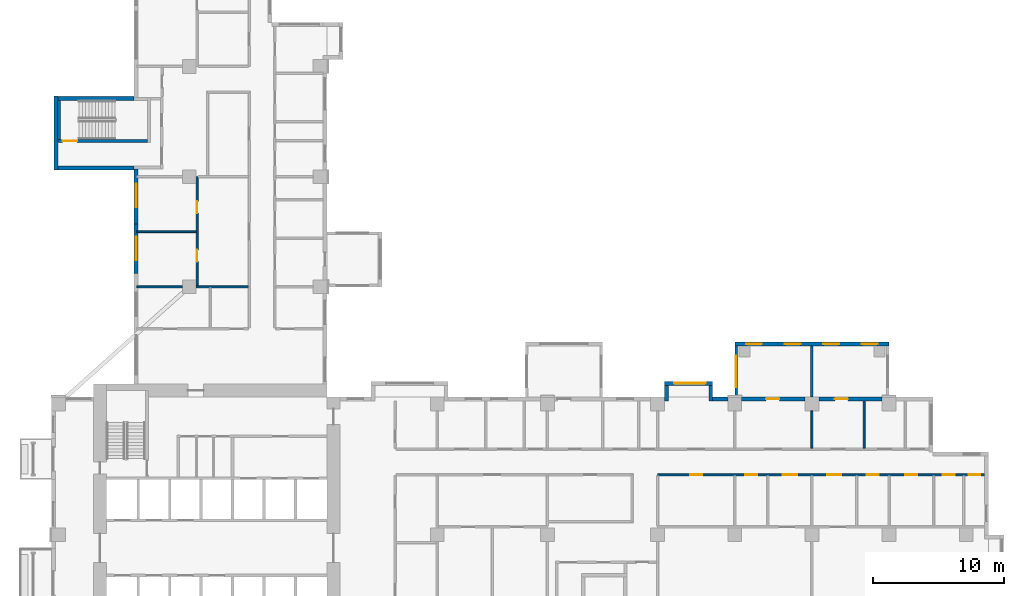
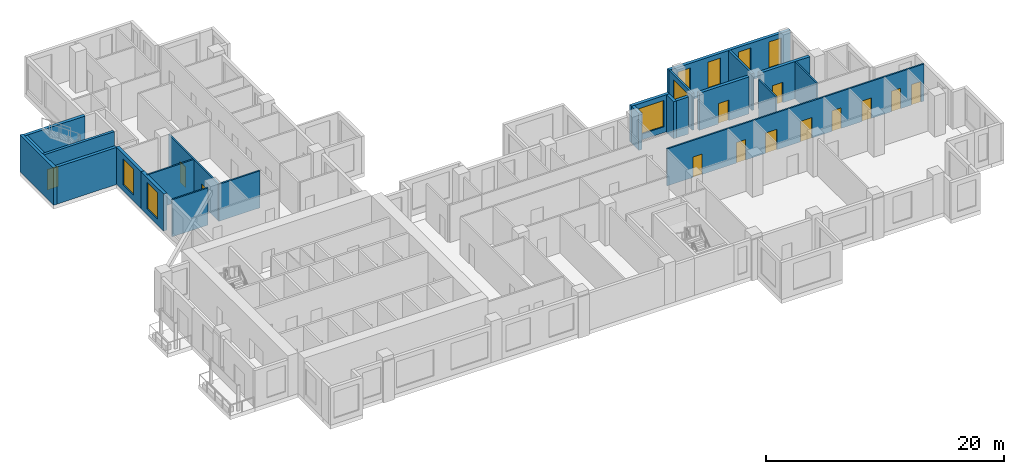
# One storey, part 6 of 15: 23 walls, 13 doors, 8 windows, 21 openings.
"""IFC4 building model written with IfcOpenShell, lengths in metres."""

import ifcopenshell
import ifcopenshell.guid

model = None  # the IFC model being written
_history = None  # IfcOwnerHistory: only IFC2X3 demands one
_inside = {}  # id of a spatial element -> (the spatial element, [elements in it])
_under = {}  # id of a project, library or spatial element -> (it, [spatial elements below it])
_declared = {}  # id of a project -> (the project, [libraries it declares])
_typed = {}  # id of a type object -> (the type object, [elements of that type])
_made_of = {}  # id of a material, layer set ... -> (it, [elements and type objects made of it])


def new_model(schema):
    """Start an empty IFC model of exactly this schema.

    Asked for "IFC4X3", IfcOpenShell would pick the latest addendum, in which some entities
    have other attributes; the version numbers below select the first issue.
    IFC2X3 requires an IfcOwnerHistory on every rooted entity: one is made here for all.
    """
    global model, _history
    if schema == "IFC4X3":
        model = ifcopenshell.file(schema_version=(4, 3, 0, 0))
    else:
        model = ifcopenshell.file(schema=schema)
    _inside.clear()
    _under.clear()
    _declared.clear()
    _typed.clear()
    _made_of.clear()
    _history = None
    if model.schema == "IFC2X3":
        org = make("IfcOrganization", Name="unknown")
        user = make(
            "IfcPersonAndOrganization",
            ThePerson=make("IfcPerson", FamilyName="unknown"),
            TheOrganization=org,
        )
        app = make(
            "IfcApplication",
            ApplicationDeveloper=org,
            Version="unknown",
            ApplicationFullName="unknown",
            ApplicationIdentifier="unknown",
        )
        _history = make(
            "IfcOwnerHistory",
            OwningUser=user,
            OwningApplication=app,
            ChangeAction="ADDED",
            CreationDate=0,
        )
    return model


def make(cls, **values):
    """One entity of the class cls with the attributes given. An attribute that is None is left unset."""
    return model.create_entity(
        cls, **{name: value for name, value in values.items() if value is not None}
    )


def rooted(cls, **values):
    """An entity with a GlobalId (a new one), such as an element, a storey or a relation."""
    return make(cls, GlobalId=ifcopenshell.guid.new(), OwnerHistory=_history, **values)


def si_unit(unit_type, name, prefix=None):
    """IfcSIUnit, for example si_unit("LENGTHUNIT", "METRE", prefix="MILLI")."""
    return make("IfcSIUnit", UnitType=unit_type, Prefix=prefix, Name=name)


def assignment(units):
    """IfcUnitAssignment: the units of a project."""
    return None if units is None else make("IfcUnitAssignment", Units=units)


def point(xyz):
    """IfcCartesianPoint."""
    return None if xyz is None else make("IfcCartesianPoint", Coordinates=xyz)


def direction(xyz):
    """IfcDirection."""
    return None if xyz is None else make("IfcDirection", DirectionRatios=xyz)


def frame(location, z_axis=None, x_axis=None):
    """IfcAxis2Placement3D, a coordinate frame: its origin and axes. An axis left out is left unset."""
    return make(
        "IfcAxis2Placement3D",
        Location=point(location),
        Axis=direction(z_axis),
        RefDirection=direction(x_axis),
    )


def frame_2d(location, x_axis=None):
    """IfcAxis2Placement2D, a coordinate frame in the plane: its origin and x axis."""
    return make(
        "IfcAxis2Placement2D", Location=point(location), RefDirection=direction(x_axis)
    )


def origin():
    """The frame at (0, 0, 0) with its axes left unset."""
    return frame((0.0, 0.0, 0.0))


def place(relative_to, where):
    """IfcLocalPlacement: puts the frame where relative to a parent placement (None: the world)."""
    return make(
        "IfcLocalPlacement", PlacementRelTo=relative_to, RelativePlacement=where
    )


def context(
    kind, dimensions, precision=None, world=None, true_north=None, identifier=None
):
    """IfcGeometricRepresentationContext, for example the 3D "Model" context."""
    return make(
        "IfcGeometricRepresentationContext",
        ContextIdentifier=identifier,
        ContextType=kind,
        CoordinateSpaceDimension=dimensions,
        Precision=precision,
        WorldCoordinateSystem=world,
        TrueNorth=true_north,
    )


def subcontext(parent, identifier, kind, view, scale=None):
    """IfcGeometricRepresentationSubContext, for example "Body" below "Model"."""
    return make(
        "IfcGeometricRepresentationSubContext",
        ContextIdentifier=identifier,
        ContextType=kind,
        ParentContext=parent,
        TargetScale=scale,
        TargetView=view,
    )


def project(units=None, contexts=None):
    """IfcProject with its units and contexts."""
    return rooted(
        "IfcProject",
        Name="project",
        RepresentationContexts=contexts,
        UnitsInContext=assignment(units),
    )


def spatial(cls, under=None, at=None, **own):
    """A site, building, storey or space (cls), placed at a placement, below another one or the project."""
    s = rooted(cls, ObjectPlacement=at, **own)
    if under is not None:
        _under.setdefault(under.id(), (under, []))[1].append(s)
    return s


def profile(cls, at=None, kind="AREA", **sizes):
    """A parametric profile (cls). Its sizes go by their IFC names, for example OverallWidth=200.0."""
    return make(cls, ProfileType=kind, Position=at, **sizes)


def rectangle(**sizes):
    """IfcRectangleProfileDef."""
    return profile("IfcRectangleProfileDef", **sizes)


def extrude(swept, where, along, depth):
    """IfcExtrudedAreaSolid: the profile swept, set in the frame where, extruded along a direction by depth."""
    return make(
        "IfcExtrudedAreaSolid",
        SweptArea=swept,
        Position=where,
        ExtrudedDirection=direction(along),
        Depth=depth,
    )


def shape(context_of_items, identifier, shape_type, items):
    """IfcShapeRepresentation: the items that make up one representation, for example the "Body"."""
    return make(
        "IfcShapeRepresentation",
        ContextOfItems=context_of_items,
        RepresentationIdentifier=identifier,
        RepresentationType=shape_type,
        Items=items,
    )


def source(mapping_origin, context_of_items, identifier, shape_type, items):
    """IfcRepresentationMap: a shape defined once, which mapped items show again and again."""
    return make(
        "IfcRepresentationMap",
        MappingOrigin=mapping_origin,
        MappedRepresentation=shape(context_of_items, identifier, shape_type, items),
    )


def transform(
    local_origin,
    x_axis=None,
    y_axis=None,
    z_axis=None,
    scale=None,
    scale2=None,
    scale3=None,
    uniform=True,
):
    """IfcCartesianTransformationOperator3D, or its non-uniform kind. x_axis, y_axis, z_axis: its Axis1, 2, 3."""
    if uniform:
        return make(
            "IfcCartesianTransformationOperator3D",
            Axis1=direction(x_axis),
            Axis2=direction(y_axis),
            LocalOrigin=point(local_origin),
            Scale=scale,
            Axis3=direction(z_axis),
        )
    return make(
        "IfcCartesianTransformationOperator3DnonUniform",
        Axis1=direction(x_axis),
        Axis2=direction(y_axis),
        LocalOrigin=point(local_origin),
        Scale=scale,
        Axis3=direction(z_axis),
        Scale2=scale2,
        Scale3=scale3,
    )


def mapped(mapping_source, mapping_target):
    """IfcMappedItem: shows the shape of a source again, moved by a transform."""
    return make(
        "IfcMappedItem", MappingSource=mapping_source, MappingTarget=mapping_target
    )


def material(Name=None, Category=None):
    """IfcMaterial."""
    return make("IfcMaterial", Name=Name, Category=Category)


def layer(
    of_material, thickness, ventilated=None, Name=None, Category=None, Priority=None
):
    """IfcMaterialLayer: one layer of a wall or slab, of a material (None: an air gap)."""
    return make(
        "IfcMaterialLayer",
        Material=of_material,
        LayerThickness=thickness,
        IsVentilated=ventilated,
        Name=Name,
        Category=Category,
        Priority=Priority,
    )


def layer_set(layers, Name=None):
    """IfcMaterialLayerSet."""
    return make("IfcMaterialLayerSet", MaterialLayers=layers, LayerSetName=Name)


def made_of(thing, what):
    """Note that an element or type object is made of a material, layer set ...; save() writes the relation."""
    if what is not None:
        _made_of.setdefault(what.id(), (what, []))[1].append(thing)
    return thing


def type_object(cls, material=None, **own):
    """A type object (cls), such as IfcWallType, which elements share."""
    return made_of(rooted(cls, **own), material)


def element(
    cls,
    number,
    at=None,
    inside=None,
    cuts=None,
    type_object=None,
    material=None,
    context=None,
    identifier="Body",
    shape_type=None,
    held_by="IfcProductDefinitionShape",
    body=None,
    shapes=None,
    **own,
):
    """One element of the class cls, such as IfcWall. Its Tag is "e" and its number.

    at: its placement. inside: the storey or other place that contains it. cuts: it is an
    opening in that element (IfcRelVoidsElement). A single representation is given by context,
    identifier, shape_type and body (its items); several are given by shapes. held_by: the class
    of the entity that holds the representations. save() writes the other relations.
    """
    e = rooted(cls, Tag="e%d" % number, ObjectPlacement=at, **own)
    if body is not None:
        shapes = [shape(context, identifier, shape_type, body)]
    if shapes is not None:
        e.Representation = make(held_by, Representations=shapes)
    if inside is not None:
        _inside.setdefault(inside.id(), (inside, []))[1].append(e)
    if cuts is not None:
        rooted(
            "IfcRelVoidsElement", RelatingBuildingElement=cuts, RelatedOpeningElement=e
        )
    if type_object is not None:
        _typed.setdefault(type_object.id(), (type_object, []))[1].append(e)
    return made_of(e, material)


def fill(opening, filler):
    """IfcRelFillsElement: the door or window that sits in an opening."""
    return rooted(
        "IfcRelFillsElement",
        RelatingOpeningElement=opening,
        RelatedBuildingElement=filler,
    )


def aggregate(whole, parts):
    """IfcRelAggregates: a whole, such as a stair, and the parts it consists of."""
    return rooted("IfcRelAggregates", RelatingObject=whole, RelatedObjects=parts)


def save(model, path):
    """Write the relations noted so far, then the file.

    IfcRelAggregates (storeys below a building ...), IfcRelContainedInSpatialStructure (elements
    in a storey), IfcRelDefinesByType, IfcRelAssociatesMaterial and IfcRelDeclares: one each for
    every whole, place, type object, material and project.
    """
    for whole, parts in _under.values():
        aggregate(whole, parts)
    for where, things in _inside.values():
        rooted(
            "IfcRelContainedInSpatialStructure",
            RelatedElements=things,
            RelatingStructure=where,
        )
    for kind, things in _typed.values():
        rooted("IfcRelDefinesByType", RelatedObjects=things, RelatingType=kind)
    for what, things in _made_of.values():
        rooted("IfcRelAssociatesMaterial", RelatedObjects=things, RelatingMaterial=what)
    for by, libraries in _declared.values():
        rooted("IfcRelDeclares", RelatingContext=by, RelatedDefinitions=libraries)
    model.write(path)


model = new_model("IFC4")

# Units and contexts
model_context = context("Model", 3, precision=1e-05, world=origin(), true_north=direction((0.0, 1.0)))
body_context = subcontext(model_context, "Body", "Model", "MODEL_VIEW")
ifc_project = project(units=[si_unit("LENGTHUNIT", "METRE"), si_unit("AREAUNIT", "SQUARE_METRE"), si_unit("VOLUMEUNIT", "CUBIC_METRE"), si_unit("PLANEANGLEUNIT", "RADIAN"), si_unit("MASSUNIT", "GRAM", prefix="KILO")], contexts=[model_context])

# Site, building, storey
site_placement = place(None, origin())
site = spatial("IfcSite", under=ifc_project, at=site_placement, CompositionType="ELEMENT")
building_placement = place(site_placement, origin())
building = spatial("IfcBuilding", under=site, at=building_placement, Name="Aurelian Terraces", CompositionType="ELEMENT")
storey_placement = place(building_placement, frame((0.0, 0.0, 120.3)))
storey = spatial("IfcBuildingStorey", under=building, at=storey_placement, Name="L26", CompositionType="ELEMENT", Elevation=120.3)

# Wall, opening, window
ifc_material_1 = material(Name="Terracotta rainscreen cladding", Category="masonry")
ifc_layer_1 = layer(ifc_material_1, 0.3)
ifc_layer_set_1 = layer_set([ifc_layer_1], Name="EW-300")
wall_type_1 = type_object("IfcWallType", Name="EW-300", PredefinedType="STANDARD", material=ifc_layer_set_1)
shared_shape_1 = source(origin(), body_context, "Body", "SweptSolid", [
    extrude(rectangle(XDim=4.2, YDim=0.3, at=frame_2d((2.1, 0.0))), origin(), (0.0, 0.0, 1.0), 3.8),
])
wall_1_placement = place(storey_placement, frame((6.45, 38.4, 0.0), z_axis=(0.0, 0.0, 1.0), x_axis=(0.0, -1.0, 0.0)))
wall_1 = element("IfcWall", 1, at=wall_1_placement, inside=storey, type_object=wall_type_1, Name="External wall L26 F16.35", PredefinedType="STANDARD", context=body_context, shape_type="MappedRepresentation", body=[
    mapped(shared_shape_1, transform((0.0, 0.0, 0.0), scale=1.0)),
])
shared_shape_2 = source(origin(), body_context, "Body", "SweptSolid", [
    extrude(rectangle(XDim=1.8, YDim=2.7, at=frame_2d((0.9, 1.35))), frame((0.0, 0.16, 0.0), z_axis=(0.0, -1.0, 0.0), x_axis=(1.0, 0.0, 0.0)), (0.0, 0.0, 1.0), 0.32),
])
opening_1_placement = place(wall_1_placement, frame((1.15, 0.0, 0.6)))
opening_1 = element("IfcOpeningElement", 2, at=opening_1_placement, cuts=wall_1, Name="Opening W1827", PredefinedType="OPENING", context=body_context, shape_type="MappedRepresentation", body=[
    mapped(shared_shape_2, transform((0.0, 0.0, 0.0), scale=1.0)),
])
ifc_material_2 = material(Name="Clear glazing", Category="glass")
window_type_1 = type_object("IfcWindowType", Name="W-1800x2700", PartitioningType="SINGLE_PANEL", PredefinedType="WINDOW", material=ifc_material_2)
shared_shape_3 = source(origin(), body_context, "Body", "SweptSolid", [
    extrude(rectangle(XDim=1.8, YDim=2.7, at=frame_2d((0.9, 1.35))), frame((0.0, 0.03, 0.0), z_axis=(0.0, -1.0, 0.0), x_axis=(1.0, 0.0, 0.0)), (0.0, 0.0, 1.0), 0.06),
])
window_1_placement = place(opening_1_placement, origin())
window_1 = element("IfcWindow", 3, at=window_1_placement, inside=storey, type_object=window_type_1, Name="Window L26 L26-F16-35-0", OverallHeight=2.7, OverallWidth=1.8, PartitioningType="SINGLE_PANEL", PredefinedType="WINDOW", context=body_context, shape_type="MappedRepresentation", body=[
    mapped(shared_shape_3, transform((0.0, 0.0, 0.0), scale=1.0)),
])
fill(opening_1, window_1)

# Walls
shared_shape_4 = source(origin(), body_context, "Body", "SweptSolid", [
    extrude(rectangle(XDim=1.2, YDim=0.3, at=frame_2d((0.6, 0.0))), origin(), (0.0, 0.0, 1.0), 3.8),
])
for number, where, z_axis, x_axis, name in (
    (4, (50.25, 20.7, 0.0), (0.0, 0.0, 1.0), (0.0, 1.0, 0.0), "Bay return L26 F07.19.1"),
    (5, (46.875, 20.7, 0.0), (0.0, 0.0, 1.0), (0.0, 1.0, 0.0), "Bay return L26 F07.19.2"),
):
    element("IfcWall", number, at=place(storey_placement, frame(where, z_axis=z_axis, x_axis=x_axis)), inside=storey, type_object=wall_type_1, Name=name, PredefinedType="STANDARD", context=body_context, shape_type="MappedRepresentation", body=[
        mapped(shared_shape_4, transform((0.0, 0.0, 0.0), scale=1.0)),
    ])

# Wall, opening, window
ifc_material_3 = material(Name="Concrete fc' 40 MPa", Category="concrete")
ifc_layer_2 = layer(ifc_material_3, 0.3)
ifc_layer_set_2 = layer_set([ifc_layer_2], Name="STAIR BAY WALL 300")
wall_type_2 = type_object("IfcWallType", Name="STAIR BAY WALL 300", PredefinedType="SOLIDWALL", material=ifc_layer_set_2)
shared_shape_5 = source(origin(), body_context, "Body", "SweptSolid", [
    extrude(rectangle(XDim=3.8, YDim=0.3, at=frame_2d((1.9, 0.0))), origin(), (0.0, 0.0, 1.0), 3.8),
])
wall_2_placement = place(storey_placement, frame((6.45, 34.2, 0.0), z_axis=(0.0, 0.0, 1.0), x_axis=(0.0, -1.0, 0.0)))
wall_2 = element("IfcWall", 6, at=wall_2_placement, inside=storey, type_object=wall_type_2, Name="Bearing wall L26 F16.35", PredefinedType="SOLIDWALL", context=body_context, shape_type="MappedRepresentation", body=[
    mapped(shared_shape_5, transform((0.0, 0.0, 0.0), scale=1.0)),
])
opening_2_placement = place(wall_2_placement, frame((0.9625, 0.0, 0.6)))
opening_2 = element("IfcOpeningElement", 7, at=opening_2_placement, cuts=wall_2, Name="Opening W1827", PredefinedType="OPENING", context=body_context, shape_type="MappedRepresentation", body=[
    mapped(shared_shape_2, transform((0.0, 0.0, 0.0), scale=1.0)),
])
window_2_placement = place(opening_2_placement, origin())
window_2 = element("IfcWindow", 8, at=window_2_placement, inside=storey, type_object=window_type_1, Name="Window L26 L26-F16-35-1", OverallHeight=2.7, OverallWidth=1.8, PartitioningType="SINGLE_PANEL", PredefinedType="WINDOW", context=body_context, shape_type="MappedRepresentation", body=[
    mapped(shared_shape_3, transform((0.0, 0.0, 0.0), scale=1.0)),
])
fill(opening_2, window_2)

ifc_layer_3 = layer(ifc_material_3, 0.2)
ifc_layer_set_3 = layer_set([ifc_layer_3], Name="BOX BEARING WALL 200")
wall_type_3 = type_object("IfcWallType", Name="BOX BEARING WALL 200", PredefinedType="SOLIDWALL", material=ifc_layer_set_3)
shared_shape_6 = source(origin(), body_context, "Body", "SweptSolid", [
    extrude(rectangle(XDim=3.9, YDim=0.2, at=frame_2d((1.95, 0.0))), origin(), (0.0, 0.0, 1.0), 3.79),
])
wall_3_placement = place(storey_placement, frame((52.18, 21.0, 0.0), z_axis=(0.0, 0.0, 1.0), x_axis=(0.0, 1.0, 0.0)))
wall_3 = element("IfcWall", 9, at=wall_3_placement, inside=storey, type_object=wall_type_3, Name="Box return L26 K02.2", PredefinedType="SOLIDWALL", context=body_context, shape_type="MappedRepresentation", body=[
    mapped(shared_shape_6, transform((0.0, 0.0, 0.0), scale=1.0)),
])
shared_shape_7 = source(origin(), body_context, "Body", "SweptSolid", [
    extrude(rectangle(XDim=2.4, YDim=2.7, at=frame_2d((1.2, 1.35))), frame((0.0, 0.11, 0.0), z_axis=(0.0, -1.0, 0.0), x_axis=(1.0, 0.0, 0.0)), (0.0, 0.0, 1.0), 0.22),
])
opening_3_placement = place(wall_3_placement, frame((0.75, 0.0, 0.6)))
opening_3 = element("IfcOpeningElement", 10, at=opening_3_placement, cuts=wall_3, Name="Opening W2427", PredefinedType="OPENING", context=body_context, shape_type="MappedRepresentation", body=[
    mapped(shared_shape_7, transform((0.0, 0.0, 0.0), scale=1.0)),
])
window_type_2 = type_object("IfcWindowType", Name="W-2400x2700", PartitioningType="SINGLE_PANEL", PredefinedType="WINDOW", material=ifc_material_2)
shared_shape_8 = source(origin(), body_context, "Body", "SweptSolid", [
    extrude(rectangle(XDim=2.4, YDim=2.7, at=frame_2d((1.2, 1.35))), frame((0.0, 0.03, 0.0), z_axis=(0.0, -1.0, 0.0), x_axis=(1.0, 0.0, 0.0)), (0.0, 0.0, 1.0), 0.06),
])
window_3_placement = place(opening_3_placement, origin())
window_3 = element("IfcWindow", 11, at=window_3_placement, inside=storey, type_object=window_type_2, Name="Window L26 K02-S2", OverallHeight=2.7, OverallWidth=2.4, PartitioningType="SINGLE_PANEL", PredefinedType="WINDOW", context=body_context, shape_type="MappedRepresentation", body=[
    mapped(shared_shape_8, transform((0.0, 0.0, 0.0), scale=1.0)),
])
fill(opening_3, window_3)

# Wall, openings, windows
ifc_layer_4 = layer(ifc_material_3, 0.3)
ifc_layer_set_4 = layer_set([ifc_layer_4], Name="BOX BEARING WALL 300")
wall_type_4 = type_object("IfcWallType", Name="BOX BEARING WALL 300", PredefinedType="SOLIDWALL", material=ifc_layer_set_4)
shared_shape_9 = source(origin(), body_context, "Body", "SweptSolid", [
    extrude(rectangle(XDim=11.76, YDim=0.3, at=frame_2d((5.88, 0.0))), origin(), (0.0, 0.0, 1.0), 3.79),
])
wall_4_placement = place(storey_placement, frame((63.84, 25.05, 0.0), z_axis=(0.0, 0.0, 1.0), x_axis=(-1.0, 0.0, 0.0)))
wall_4 = element("IfcWall", 12, at=wall_4_placement, inside=storey, type_object=wall_type_4, Name="Box wall L26 K02", PredefinedType="SOLIDWALL", context=body_context, shape_type="MappedRepresentation", body=[
    mapped(shared_shape_9, transform((0.0, 0.0, 0.0), scale=1.0)),
])
shared_shape_10 = source(origin(), body_context, "Body", "SweptSolid", [
    extrude(rectangle(XDim=1.2, YDim=2.7, at=frame_2d((0.6, 1.35))), frame((0.0, 0.16, 0.0), z_axis=(0.0, -1.0, 0.0), x_axis=(1.0, 0.0, 0.0)), (0.0, 0.0, 1.0), 0.32),
])
opening_4_placement = place(wall_4_placement, frame((0.87, 0.0, 0.6)))
opening_4 = element("IfcOpeningElement", 13, at=opening_4_placement, cuts=wall_4, Name="Opening W1227", PredefinedType="OPENING", context=body_context, shape_type="MappedRepresentation", body=[
    mapped(shared_shape_10, transform((0.0, 0.0, 0.0), scale=1.0)),
])
opening_5_placement = place(wall_4_placement, frame((3.81, 0.0, 0.6)))
opening_5 = element("IfcOpeningElement", 14, at=opening_5_placement, cuts=wall_4, Name="Opening W1227", PredefinedType="OPENING", context=body_context, shape_type="MappedRepresentation", body=[
    mapped(shared_shape_10, transform((0.0, 0.0, 0.0), scale=1.0)),
])
opening_6_placement = place(wall_4_placement, frame((6.75, 0.0, 0.6)))
opening_6 = element("IfcOpeningElement", 15, at=opening_6_placement, cuts=wall_4, Name="Opening W1227", PredefinedType="OPENING", context=body_context, shape_type="MappedRepresentation", body=[
    mapped(shared_shape_10, transform((0.0, 0.0, 0.0), scale=1.0)),
])
opening_7_placement = place(wall_4_placement, frame((9.69, 0.0, 0.6)))
opening_7 = element("IfcOpeningElement", 16, at=opening_7_placement, cuts=wall_4, Name="Opening W1227", PredefinedType="OPENING", context=body_context, shape_type="MappedRepresentation", body=[
    mapped(shared_shape_10, transform((0.0, 0.0, 0.0), scale=1.0)),
])
window_type_3 = type_object("IfcWindowType", Name="W-1200x2700", PartitioningType="SINGLE_PANEL", PredefinedType="WINDOW", material=ifc_material_2)
shared_shape_11 = source(origin(), body_context, "Body", "SweptSolid", [
    extrude(rectangle(XDim=1.2, YDim=2.7, at=frame_2d((0.6, 1.35))), frame((0.0, 0.03, 0.0), z_axis=(0.0, -1.0, 0.0), x_axis=(1.0, 0.0, 0.0)), (0.0, 0.0, 1.0), 0.06),
])
window_4_placement = place(opening_4_placement, origin())
window_4 = element("IfcWindow", 17, at=window_4_placement, inside=storey, type_object=window_type_3, Name="Window L26 K02-F1", OverallHeight=2.7, OverallWidth=1.2, PartitioningType="SINGLE_PANEL", PredefinedType="WINDOW", context=body_context, shape_type="MappedRepresentation", body=[
    mapped(shared_shape_11, transform((0.0, 0.0, 0.0), scale=1.0)),
])
fill(opening_4, window_4)
window_5_placement = place(opening_5_placement, origin())
window_5 = element("IfcWindow", 18, at=window_5_placement, inside=storey, type_object=window_type_3, Name="Window L26 K02-F2", OverallHeight=2.7, OverallWidth=1.2, PartitioningType="SINGLE_PANEL", PredefinedType="WINDOW", context=body_context, shape_type="MappedRepresentation", body=[
    mapped(shared_shape_11, transform((0.0, 0.0, 0.0), scale=1.0)),
])
fill(opening_5, window_5)
window_6_placement = place(opening_6_placement, origin())
window_6 = element("IfcWindow", 19, at=window_6_placement, inside=storey, type_object=window_type_3, Name="Window L26 K02-F3", OverallHeight=2.7, OverallWidth=1.2, PartitioningType="SINGLE_PANEL", PredefinedType="WINDOW", context=body_context, shape_type="MappedRepresentation", body=[
    mapped(shared_shape_11, transform((0.0, 0.0, 0.0), scale=1.0)),
])
fill(opening_6, window_6)
window_7_placement = place(opening_7_placement, origin())
window_7 = element("IfcWindow", 20, at=window_7_placement, inside=storey, type_object=window_type_3, Name="Window L26 K02-F4", OverallHeight=2.7, OverallWidth=1.2, PartitioningType="SINGLE_PANEL", PredefinedType="WINDOW", context=body_context, shape_type="MappedRepresentation", body=[
    mapped(shared_shape_11, transform((0.0, 0.0, 0.0), scale=1.0)),
])
fill(opening_7, window_7)

# Walls
shared_shape_12 = source(origin(), body_context, "Body", "SweptSolid", [
    extrude(rectangle(XDim=3.9, YDim=0.2, at=frame_2d((1.95, 0.0))), origin(), (0.0, 0.0, 1.0), 3.79),
])
wall_5_placement = place(storey_placement, frame((57.96, 21.0, 0.0), z_axis=(0.0, 0.0, 1.0), x_axis=(0.0, 1.0, 0.0)))
element("IfcWall", 21, at=wall_5_placement, inside=storey, type_object=wall_type_3, Name="Box partition L26 K02", PredefinedType="SOLIDWALL", context=body_context, shape_type="MappedRepresentation", body=[
    mapped(shared_shape_12, transform((0.0, 0.0, 0.0), scale=1.0)),
])
shared_shape_13 = source(origin(), body_context, "Body", "SweptSolid", [
    extrude(rectangle(XDim=6.1, YDim=0.3, at=frame_2d((3.05, 0.0))), origin(), (0.0, 0.0, 1.0), 3.8),
])
for number, where, z_axis, x_axis, name in (
    (22, (6.3, 43.75, 0.0), (0.0, 0.0, 1.0), (-1.0, 0.0, 0.0), "Stair bay wall L26 F13.32"),
    (23, (0.2, 38.45, 0.0), (0.0, 0.0, 1.0), (1.0, 0.0, 0.0), "Stair bay wall L26 F15.34"),
):
    element("IfcWall", number, at=place(storey_placement, frame(where, z_axis=z_axis, x_axis=x_axis)), inside=storey, type_object=wall_type_2, Name=name, PredefinedType="SOLIDWALL", context=body_context, shape_type="MappedRepresentation", body=[
        mapped(shared_shape_13, transform((0.0, 0.0, 0.0), scale=1.0)),
    ])

# Wall, opening, door
shared_shape_14 = source(origin(), body_context, "Body", "SweptSolid", [
    extrude(rectangle(XDim=4.83, YDim=0.3, at=frame_2d((2.415, 0.0))), origin(), (0.0, 0.0, 1.0), 3.8),
])
wall_6_placement = place(storey_placement, frame((63.315, 20.85, 0.0), z_axis=(0.0, 0.0, 1.0), x_axis=(-1.0, 0.0, 0.0)))
wall_6 = element("IfcWall", 24, at=wall_6_placement, inside=storey, type_object=wall_type_1, Name="External wall L26 F07.18", PredefinedType="STANDARD", context=body_context, shape_type="MappedRepresentation", body=[
    mapped(shared_shape_14, transform((0.0, 0.0, 0.0), scale=1.0)),
])
shared_shape_15 = source(origin(), body_context, "Body", "SweptSolid", [
    extrude(rectangle(XDim=1.0, YDim=2.1, at=frame_2d((0.5, 1.05))), frame((0.0, 0.16, 0.0), z_axis=(0.0, -1.0, 0.0), x_axis=(1.0, 0.0, 0.0)), (0.0, 0.0, 1.0), 0.32),
])
opening_8_placement = place(wall_6_placement, frame((2.615, 0.0, 0.0)))
opening_8 = element("IfcOpeningElement", 25, at=opening_8_placement, cuts=wall_6, Name="Opening 826004", PredefinedType="OPENING", context=body_context, shape_type="MappedRepresentation", body=[
    mapped(shared_shape_15, transform((0.0, 0.0, 0.0), scale=1.0)),
])
ifc_material_4 = material(Name="Timber door leaf", Category="wood")
door_type_1 = type_object("IfcDoorType", Name="Room door 1000x2100 left", OperationType="SINGLE_SWING_LEFT", PredefinedType="DOOR", material=ifc_material_4)
shared_shape_16 = source(origin(), body_context, "Body", "SweptSolid", [
    extrude(rectangle(XDim=1.0, YDim=2.1, at=frame_2d((0.5, 1.05))), frame((0.0, 0.025, 0.0), z_axis=(0.0, -1.0, 0.0), x_axis=(1.0, 0.0, 0.0)), (0.0, 0.0, 1.0), 0.05),
])
door_1_placement = place(opening_8_placement, origin())
door_1 = element("IfcDoor", 26, at=door_1_placement, inside=storey, type_object=door_type_1, Name="Door 826004", OperationType="SINGLE_SWING_LEFT", OverallHeight=2.1, OverallWidth=1.0, PredefinedType="DOOR", context=body_context, shape_type="MappedRepresentation", body=[
    mapped(shared_shape_16, transform((0.0, 0.0, 0.0), scale=1.0)),
])
fill(opening_8, door_1)

wall_7_placement = place(storey_placement, frame((57.435, 20.85, 0.0), z_axis=(0.0, 0.0, 1.0), x_axis=(-1.0, 0.0, 0.0)))
wall_7 = element("IfcWall", 27, at=wall_7_placement, inside=storey, type_object=wall_type_1, Name="External wall L26 F07.18", PredefinedType="STANDARD", context=body_context, shape_type="MappedRepresentation", body=[
    mapped(shared_shape_14, transform((0.0, 0.0, 0.0), scale=1.0)),
])
opening_9_placement = place(wall_7_placement, frame((1.9617, 0.0, 0.0)))
opening_9 = element("IfcOpeningElement", 28, at=opening_9_placement, cuts=wall_7, Name="Opening 826005", PredefinedType="OPENING", context=body_context, shape_type="MappedRepresentation", body=[
    mapped(shared_shape_15, transform((0.0, 0.0, 0.0), scale=1.0)),
])
door_2_placement = place(opening_9_placement, origin())
door_2 = element("IfcDoor", 29, at=door_2_placement, inside=storey, type_object=door_type_1, Name="Door 826005", OperationType="SINGLE_SWING_LEFT", OverallHeight=2.1, OverallWidth=1.0, PredefinedType="DOOR", context=body_context, shape_type="MappedRepresentation", body=[
    mapped(shared_shape_16, transform((0.0, 0.0, 0.0), scale=1.0)),
])
fill(opening_9, door_2)

# Walls
shared_shape_17 = source(origin(), body_context, "Body", "SweptSolid", [
    extrude(rectangle(XDim=5.65, YDim=0.3, at=frame_2d((2.825, 0.0))), origin(), (0.0, 0.0, 1.0), 3.8),
])
wall_8_placement = place(storey_placement, frame((0.35, 43.95, 0.0), z_axis=(0.0, 0.0, 1.0), x_axis=(0.0, -1.0, 0.0)))
element("IfcWall", 30, at=wall_8_placement, inside=storey, type_object=wall_type_2, Name="Stair bay wall L26 F14.33", PredefinedType="SOLIDWALL", context=body_context, shape_type="MappedRepresentation", body=[
    mapped(shared_shape_17, transform((0.0, 0.0, 0.0), scale=1.0)),
])
shared_shape_18 = source(origin(), body_context, "Body", "SweptSolid", [
    extrude(rectangle(XDim=1.155, YDim=0.3, at=frame_2d((0.5775, 0.0))), origin(), (0.0, 0.0, 1.0), 3.8),
])
wall_9_placement = place(storey_placement, frame((51.555, 20.85, 0.0), z_axis=(0.0, 0.0, 1.0), x_axis=(-1.0, 0.0, 0.0)))
element("IfcWall", 31, at=wall_9_placement, inside=storey, type_object=wall_type_1, Name="External wall L26 F07.18", PredefinedType="STANDARD", context=body_context, shape_type="MappedRepresentation", body=[
    mapped(shared_shape_18, transform((0.0, 0.0, 0.0), scale=1.0)),
])

# Wall, opening, window
shared_shape_19 = source(origin(), body_context, "Body", "SweptSolid", [
    extrude(rectangle(XDim=3.675, YDim=0.3, at=frame_2d((1.8375, 0.0))), origin(), (0.0, 0.0, 1.0), 3.8),
])
wall_10_placement = place(storey_placement, frame((50.4, 22.05, 0.0), z_axis=(0.0, 0.0, 1.0), x_axis=(-1.0, 0.0, 0.0)))
wall_10 = element("IfcWall", 32, at=wall_10_placement, inside=storey, type_object=wall_type_1, Name="Bay wall L26 F07.19", PredefinedType="STANDARD", context=body_context, shape_type="MappedRepresentation", body=[
    mapped(shared_shape_19, transform((0.0, 0.0, 0.0), scale=1.0)),
])
shared_shape_20 = source(origin(), body_context, "Body", "SweptSolid", [
    extrude(rectangle(XDim=2.4, YDim=2.7, at=frame_2d((1.2, 1.35))), frame((0.0, 0.16, 0.0), z_axis=(0.0, -1.0, 0.0), x_axis=(1.0, 0.0, 0.0)), (0.0, 0.0, 1.0), 0.32),
])
opening_10_placement = place(wall_10_placement, frame((0.5375, 0.0, 0.6)))
opening_10 = element("IfcOpeningElement", 33, at=opening_10_placement, cuts=wall_10, Name="Opening W2427", PredefinedType="OPENING", context=body_context, shape_type="MappedRepresentation", body=[
    mapped(shared_shape_20, transform((0.0, 0.0, 0.0), scale=1.0)),
])
window_8_placement = place(opening_10_placement, origin())
window_8 = element("IfcWindow", 34, at=window_8_placement, inside=storey, type_object=window_type_2, Name="Window L26 L26-F07-19-0", OverallHeight=2.7, OverallWidth=2.4, PartitioningType="SINGLE_PANEL", PredefinedType="WINDOW", context=body_context, shape_type="MappedRepresentation", body=[
    mapped(shared_shape_8, transform((0.0, 0.0, 0.0), scale=1.0)),
])
fill(opening_10, window_8)

# Wall, opening, door
ifc_layer_5 = layer(ifc_material_3, 0.25)
ifc_layer_set_5 = layer_set([ifc_layer_5], Name="Stair enclosure wall 250")
wall_type_5 = type_object("IfcWallType", Name="Stair enclosure wall 250", PredefinedType="SOLIDWALL", material=ifc_layer_set_5)
shared_shape_21 = source(origin(), body_context, "Body", "SweptSolid", [
    extrude(rectangle(XDim=7.0, YDim=0.25, at=frame_2d((3.5, 0.0))), origin(), (0.0, 0.0, 1.0), 3.8),
])
wall_11_placement = place(storey_placement, frame((0.3, 40.525, 0.0), z_axis=(0.0, 0.0, 1.0), x_axis=(1.0, 0.0, 0.0)))
wall_11 = element("IfcWall", 35, at=wall_11_placement, inside=storey, type_object=wall_type_5, Name="L26 core wall ST-S3-W", PredefinedType="SOLIDWALL", context=body_context, shape_type="MappedRepresentation", body=[
    mapped(shared_shape_21, transform((0.0, 0.0, 0.0), scale=1.0)),
])
shared_shape_22 = source(origin(), body_context, "Body", "SweptSolid", [
    extrude(rectangle(XDim=1.1, YDim=2.1, at=frame_2d((0.55, 1.05))), frame((0.0, 0.135, 0.0), z_axis=(0.0, -1.0, 0.0), x_axis=(1.0, 0.0, 0.0)), (0.0, 0.0, 1.0), 0.27),
])
opening_11_placement = place(wall_11_placement, frame((0.55, 0.0, 0.0)))
opening_11 = element("IfcOpeningElement", 36, at=opening_11_placement, cuts=wall_11, Name="Opening 62918", PredefinedType="OPENING", context=body_context, shape_type="MappedRepresentation", body=[
    mapped(shared_shape_22, transform((0.0, 0.0, 0.0), scale=1.0)),
])
ifc_material_5 = material(Name="Steel door leaf", Category="steel")
door_type_2 = type_object("IfcDoorType", Name="Core fire door 1100x2100 right", OperationType="SINGLE_SWING_RIGHT", PredefinedType="DOOR", material=ifc_material_5)
shared_shape_23 = source(origin(), body_context, "Body", "SweptSolid", [
    extrude(rectangle(XDim=1.1, YDim=2.1, at=frame_2d((0.55, 1.05))), frame((0.0, 0.025, 0.0), z_axis=(0.0, -1.0, 0.0), x_axis=(1.0, 0.0, 0.0)), (0.0, 0.0, 1.0), 0.05),
])
door_3_placement = place(opening_11_placement, origin())
door_3 = element("IfcDoor", 37, at=door_3_placement, inside=storey, type_object=door_type_2, Name="Stair door 62918", OperationType="SINGLE_SWING_RIGHT", OverallHeight=2.1, OverallWidth=1.1, PredefinedType="DOOR", context=body_context, shape_type="MappedRepresentation", body=[
    mapped(shared_shape_23, transform((0.0, 0.0, 0.0), scale=1.0)),
])
fill(opening_11, door_3)

# Walls
shared_shape_24 = source(origin(), body_context, "Body", "SweptSolid", [
    extrude(rectangle(XDim=2.95, YDim=0.25, at=frame_2d((1.475, 0.0))), origin(), (0.0, 0.0, 1.0), 3.8),
])
wall_12_placement = place(storey_placement, frame((0.575, 40.65, 0.0), z_axis=(0.0, 0.0, 1.0), x_axis=(0.0, 1.0, 0.0)))
element("IfcWall", 38, at=wall_12_placement, inside=storey, type_object=wall_type_5, Name="L26 core wall ST-S3-SS", PredefinedType="SOLIDWALL", context=body_context, shape_type="MappedRepresentation", body=[
    mapped(shared_shape_24, transform((0.0, 0.0, 0.0), scale=1.0)),
])
ifc_material_6 = material(Name="Gypsum board on steel studs", Category="steel")
ifc_layer_6 = layer(ifc_material_6, 0.15)
ifc_layer_set_6 = layer_set([ifc_layer_6], Name="Partition 150")
wall_type_6 = type_object("IfcWallType", Name="Partition 150", PredefinedType="PARTITIONING", material=ifc_layer_set_6)
shared_shape_25 = source(origin(), body_context, "Body", "SweptSolid", [
    extrude(rectangle(XDim=3.6, YDim=0.15, at=frame_2d((1.8, 0.0))), origin(), (0.0, 0.0, 1.0), 3.8),
])
wall_13_placement = place(storey_placement, frame((61.9445, 20.7, 0.0), z_axis=(0.0, 0.0, 1.0), x_axis=(0.0, -1.0, 0.0)))
element("IfcWall", 39, at=wall_13_placement, inside=storey, type_object=wall_type_6, Name="Partition", PredefinedType="PARTITIONING", context=body_context, shape_type="MappedRepresentation", body=[
    mapped(shared_shape_25, transform((0.0, 0.0, 0.0), scale=1.0)),
])

# Wall, openings, doors
shared_shape_26 = source(origin(), body_context, "Body", "SweptSolid", [
    extrude(rectangle(XDim=8.4, YDim=0.15, at=frame_2d((4.2, 0.0))), origin(), (0.0, 0.0, 1.0), 3.8),
])
wall_14_placement = place(storey_placement, frame((11.1, 29.4, 0.0), z_axis=(0.0, 0.0, 1.0), x_axis=(0.0, 1.0, 0.0)))
wall_14 = element("IfcWall", 40, at=wall_14_placement, inside=storey, type_object=wall_type_6, Name="Partition", PredefinedType="PARTITIONING", context=body_context, shape_type="MappedRepresentation", body=[
    mapped(shared_shape_26, transform((0.0, 0.0, 0.0), scale=1.0)),
])
shared_shape_27 = source(origin(), body_context, "Body", "SweptSolid", [
    extrude(rectangle(XDim=0.9, YDim=2.1, at=frame_2d((0.45, 1.05))), frame((0.0, 0.085, 0.0), z_axis=(0.0, -1.0, 0.0), x_axis=(1.0, 0.0, 0.0)), (0.0, 0.0, 1.0), 0.17),
])
opening_12_placement = place(wall_14_placement, frame((1.925, 0.0, 0.0)))
opening_12 = element("IfcOpeningElement", 41, at=opening_12_placement, cuts=wall_14, Name="Opening 726037", PredefinedType="OPENING", context=body_context, shape_type="MappedRepresentation", body=[
    mapped(shared_shape_27, transform((0.0, 0.0, 0.0), scale=1.0)),
])
opening_13_placement = place(wall_14_placement, frame((5.625, 0.0, 0.0)))
opening_13 = element("IfcOpeningElement", 42, at=opening_13_placement, cuts=wall_14, Name="Opening 726038", PredefinedType="OPENING", context=body_context, shape_type="MappedRepresentation", body=[
    mapped(shared_shape_27, transform((0.0, 0.0, 0.0), scale=1.0)),
])
door_type_3 = type_object("IfcDoorType", Name="Room door 900x2100 right", OperationType="SINGLE_SWING_RIGHT", PredefinedType="DOOR", material=ifc_material_4)
shared_shape_28 = source(origin(), body_context, "Body", "SweptSolid", [
    extrude(rectangle(XDim=0.9, YDim=2.1, at=frame_2d((0.45, 1.05))), frame((0.0, 0.025, 0.0), z_axis=(0.0, -1.0, 0.0), x_axis=(1.0, 0.0, 0.0)), (0.0, 0.0, 1.0), 0.05),
])
door_4_placement = place(opening_12_placement, origin())
door_4 = element("IfcDoor", 43, at=door_4_placement, inside=storey, type_object=door_type_3, Name="Door 726037", OperationType="SINGLE_SWING_RIGHT", OverallHeight=2.1, OverallWidth=0.9, PredefinedType="DOOR", context=body_context, shape_type="MappedRepresentation", body=[
    mapped(shared_shape_28, transform((0.0, 0.0, 0.0), scale=1.0)),
])
fill(opening_12, door_4)
door_type_4 = type_object("IfcDoorType", Name="Room door 900x2100 left", OperationType="SINGLE_SWING_LEFT", PredefinedType="DOOR", material=ifc_material_4)
door_5_placement = place(opening_13_placement, origin())
door_5 = element("IfcDoor", 44, at=door_5_placement, inside=storey, type_object=door_type_4, Name="Door 726038", OperationType="SINGLE_SWING_LEFT", OverallHeight=2.1, OverallWidth=0.9, PredefinedType="DOOR", context=body_context, shape_type="MappedRepresentation", body=[
    mapped(shared_shape_28, transform((0.0, 0.0, 0.0), scale=1.0)),
])
fill(opening_13, door_5)

ifc_layer_7 = layer(ifc_material_6, 0.15)
ifc_layer_set_7 = layer_set([ifc_layer_7], Name="Fire partition 150")
wall_type_7 = type_object("IfcWallType", Name="Fire partition 150", PredefinedType="PARTITIONING", material=ifc_layer_set_7)
shared_shape_29 = source(origin(), body_context, "Body", "SweptSolid", [
    extrude(rectangle(XDim=24.9, YDim=0.15, at=frame_2d((12.45, 0.0))), origin(), (0.0, 0.0, 1.0), 3.8),
])
wall_15_placement = place(storey_placement, frame((71.1, 15.075, 0.0), z_axis=(0.0, 0.0, 1.0), x_axis=(-1.0, 0.0, 0.0)))
wall_15 = element("IfcWall", 45, at=wall_15_placement, inside=storey, type_object=wall_type_7, Name="Corridor wall", PredefinedType="PARTITIONING", context=body_context, shape_type="MappedRepresentation", body=[
    mapped(shared_shape_29, transform((0.0, 0.0, 0.0), scale=1.0)),
])
shared_shape_30 = source(origin(), body_context, "Body", "SweptSolid", [
    extrude(rectangle(XDim=1.1, YDim=2.1, at=frame_2d((0.55, 1.05))), frame((0.0, 0.085, 0.0), z_axis=(0.0, -1.0, 0.0), x_axis=(1.0, 0.0, 0.0)), (0.0, 0.0, 1.0), 0.17),
])
opening_14_placement = place(wall_15_placement, frame((14.2664, 0.0, 0.0)))
opening_14 = element("IfcOpeningElement", 46, at=opening_14_placement, cuts=wall_15, Name="Opening 726010", PredefinedType="OPENING", context=body_context, shape_type="MappedRepresentation", body=[
    mapped(shared_shape_30, transform((0.0, 0.0, 0.0), scale=1.0)),
])
opening_15_placement = place(wall_15_placement, frame((21.51, 0.0, 0.0)))
opening_15 = element("IfcOpeningElement", 47, at=opening_15_placement, cuts=wall_15, Name="Opening 726012", PredefinedType="OPENING", context=body_context, shape_type="MappedRepresentation", body=[
    mapped(shared_shape_27, transform((0.0, 0.0, 0.0), scale=1.0)),
])
opening_16_placement = place(wall_15_placement, frame((17.3064, 0.0, 0.0)))
opening_16 = element("IfcOpeningElement", 48, at=opening_16_placement, cuts=wall_15, Name="Opening 726013", PredefinedType="OPENING", context=body_context, shape_type="MappedRepresentation", body=[
    mapped(shared_shape_27, transform((0.0, 0.0, 0.0), scale=1.0)),
])
opening_17_placement = place(wall_15_placement, frame((10.8895, 0.0, 0.0)))
opening_17 = element("IfcOpeningElement", 49, at=opening_17_placement, cuts=wall_15, Name="Opening 726014", PredefinedType="OPENING", context=body_context, shape_type="MappedRepresentation", body=[
    mapped(shared_shape_30, transform((0.0, 0.0, 0.0), scale=1.0)),
])
opening_18_placement = place(wall_15_placement, frame((8.0495, 0.0, 0.0)))
opening_18 = element("IfcOpeningElement", 50, at=opening_18_placement, cuts=wall_15, Name="Opening 726016", PredefinedType="OPENING", context=body_context, shape_type="MappedRepresentation", body=[
    mapped(shared_shape_27, transform((0.0, 0.0, 0.0), scale=1.0)),
])
opening_19_placement = place(wall_15_placement, frame((5.1078, 0.0, 0.0)))
opening_19 = element("IfcOpeningElement", 51, at=opening_19_placement, cuts=wall_15, Name="Opening 726017", PredefinedType="OPENING", context=body_context, shape_type="MappedRepresentation", body=[
    mapped(shared_shape_27, transform((0.0, 0.0, 0.0), scale=1.0)),
])
opening_20_placement = place(wall_15_placement, frame((2.2702, 0.0, 0.0)))
opening_20 = element("IfcOpeningElement", 52, at=opening_20_placement, cuts=wall_15, Name="Opening 726018", PredefinedType="OPENING", context=body_context, shape_type="MappedRepresentation", body=[
    mapped(shared_shape_27, transform((0.0, 0.0, 0.0), scale=1.0)),
])
opening_21_placement = place(wall_15_placement, frame((0.3049, 0.0, 0.0)))
opening_21 = element("IfcOpeningElement", 53, at=opening_21_placement, cuts=wall_15, Name="Opening 726019", PredefinedType="OPENING", context=body_context, shape_type="MappedRepresentation", body=[
    mapped(shared_shape_27, transform((0.0, 0.0, 0.0), scale=1.0)),
])
door_6_placement = place(opening_15_placement, origin())
door_6 = element("IfcDoor", 54, at=door_6_placement, inside=storey, type_object=door_type_4, Name="Door 726012", OperationType="SINGLE_SWING_LEFT", OverallHeight=2.1, OverallWidth=0.9, PredefinedType="DOOR", context=body_context, shape_type="MappedRepresentation", body=[
    mapped(shared_shape_28, transform((0.0, 0.0, 0.0), scale=1.0)),
])
fill(opening_15, door_6)
door_7_placement = place(opening_16_placement, origin())
door_7 = element("IfcDoor", 55, at=door_7_placement, inside=storey, type_object=door_type_3, Name="Door 726013", OperationType="SINGLE_SWING_RIGHT", OverallHeight=2.1, OverallWidth=0.9, PredefinedType="DOOR", context=body_context, shape_type="MappedRepresentation", body=[
    mapped(shared_shape_28, transform((0.0, 0.0, 0.0), scale=1.0)),
])
fill(opening_16, door_7)
door_8_placement = place(opening_18_placement, origin())
door_8 = element("IfcDoor", 56, at=door_8_placement, inside=storey, type_object=door_type_4, Name="Door 726016", OperationType="SINGLE_SWING_LEFT", OverallHeight=2.1, OverallWidth=0.9, PredefinedType="DOOR", context=body_context, shape_type="MappedRepresentation", body=[
    mapped(shared_shape_28, transform((0.0, 0.0, 0.0), scale=1.0)),
])
fill(opening_18, door_8)
door_9_placement = place(opening_19_placement, origin())
door_9 = element("IfcDoor", 57, at=door_9_placement, inside=storey, type_object=door_type_3, Name="Door 726017", OperationType="SINGLE_SWING_RIGHT", OverallHeight=2.1, OverallWidth=0.9, PredefinedType="DOOR", context=body_context, shape_type="MappedRepresentation", body=[
    mapped(shared_shape_28, transform((0.0, 0.0, 0.0), scale=1.0)),
])
fill(opening_19, door_9)
door_10_placement = place(opening_20_placement, origin())
door_10 = element("IfcDoor", 58, at=door_10_placement, inside=storey, type_object=door_type_4, Name="Door 726018", OperationType="SINGLE_SWING_LEFT", OverallHeight=2.1, OverallWidth=0.9, PredefinedType="DOOR", context=body_context, shape_type="MappedRepresentation", body=[
    mapped(shared_shape_28, transform((0.0, 0.0, 0.0), scale=1.0)),
])
fill(opening_20, door_10)
door_11_placement = place(opening_21_placement, origin())
door_11 = element("IfcDoor", 59, at=door_11_placement, inside=storey, type_object=door_type_3, Name="Door 726019", OperationType="SINGLE_SWING_RIGHT", OverallHeight=2.1, OverallWidth=0.9, PredefinedType="DOOR", context=body_context, shape_type="MappedRepresentation", body=[
    mapped(shared_shape_28, transform((0.0, 0.0, 0.0), scale=1.0)),
])
fill(opening_21, door_11)
door_type_5 = type_object("IfcDoorType", Name="Room door 1100x2100 left", OperationType="SINGLE_SWING_LEFT", PredefinedType="DOOR", material=ifc_material_4)
door_12_placement = place(opening_14_placement, origin())
door_12 = element("IfcDoor", 60, at=door_12_placement, inside=storey, type_object=door_type_5, Name="Door 726010", OperationType="SINGLE_SWING_LEFT", OverallHeight=2.1, OverallWidth=1.1, PredefinedType="DOOR", context=body_context, shape_type="MappedRepresentation", body=[
    mapped(shared_shape_23, transform((0.0, 0.0, 0.0), scale=1.0)),
])
fill(opening_14, door_12)
door_13_placement = place(opening_17_placement, origin())
door_13 = element("IfcDoor", 61, at=door_13_placement, inside=storey, type_object=door_type_5, Name="Door 726014", OperationType="SINGLE_SWING_LEFT", OverallHeight=2.1, OverallWidth=1.1, PredefinedType="DOOR", context=body_context, shape_type="MappedRepresentation", body=[
    mapped(shared_shape_23, transform((0.0, 0.0, 0.0), scale=1.0)),
])
fill(opening_17, door_13)

# Walls
shared_shape_31 = source(origin(), body_context, "Body", "SweptSolid", [
    extrude(rectangle(XDim=3.976, YDim=0.15, at=frame_2d((1.988, 0.0))), origin(), (0.0, 0.0, 1.0), 3.8),
])
wall_16_placement = place(storey_placement, frame((15.0, 29.4, 0.0), z_axis=(0.0, 0.0, 1.0), x_axis=(-1.0, 0.0, 0.0)))
element("IfcWall", 62, at=wall_16_placement, inside=storey, type_object=wall_type_6, Name="Partition", PredefinedType="PARTITIONING", context=body_context, shape_type="MappedRepresentation", body=[
    mapped(shared_shape_31, transform((0.0, 0.0, 0.0), scale=1.0)),
])
shared_shape_32 = source(origin(), body_context, "Body", "SweptSolid", [
    extrude(rectangle(XDim=2.851, YDim=0.15, at=frame_2d((1.4255, 0.0))), origin(), (0.0, 0.0, 1.0), 3.8),
])
wall_17_placement = place(storey_placement, frame((57.96, 17.1, 0.0), z_axis=(0.0, 0.0, 1.0), x_axis=(0.0, 1.0, 0.0)))
element("IfcWall", 63, at=wall_17_placement, inside=storey, type_object=wall_type_6, Name="Partition", PredefinedType="PARTITIONING", context=body_context, shape_type="MappedRepresentation", body=[
    mapped(shared_shape_32, transform((0.0, 0.0, 0.0), scale=1.0)),
])
shared_shape_33 = source(origin(), body_context, "Body", "SweptSolid", [
    extrude(rectangle(XDim=3.471, YDim=0.15, at=frame_2d((1.7355, 0.0))), origin(), (0.0, 0.0, 1.0), 3.8),
])
wall_18_placement = place(storey_placement, frame((9.976, 29.4, 0.0), z_axis=(0.0, 0.0, 1.0), x_axis=(-1.0, 0.0, 0.0)))
element("IfcWall", 64, at=wall_18_placement, inside=storey, type_object=wall_type_6, Name="Partition", PredefinedType="PARTITIONING", context=body_context, shape_type="MappedRepresentation", body=[
    mapped(shared_shape_33, transform((0.0, 0.0, 0.0), scale=1.0)),
])
shared_shape_34 = source(origin(), body_context, "Body", "SweptSolid", [
    extrude(rectangle(XDim=4.52, YDim=0.15, at=frame_2d((2.26, 0.0))), origin(), (0.0, 0.0, 1.0), 3.8),
])
wall_19_placement = place(storey_placement, frame((11.025, 33.6, 0.0), z_axis=(0.0, 0.0, 1.0), x_axis=(-1.0, 0.0, 0.0)))
element("IfcWall", 65, at=wall_19_placement, inside=storey, type_object=wall_type_6, Name="Partition", PredefinedType="PARTITIONING", context=body_context, shape_type="MappedRepresentation", body=[
    mapped(shared_shape_34, transform((0.0, 0.0, 0.0), scale=1.0)),
])

save(model, "model.ifc")
